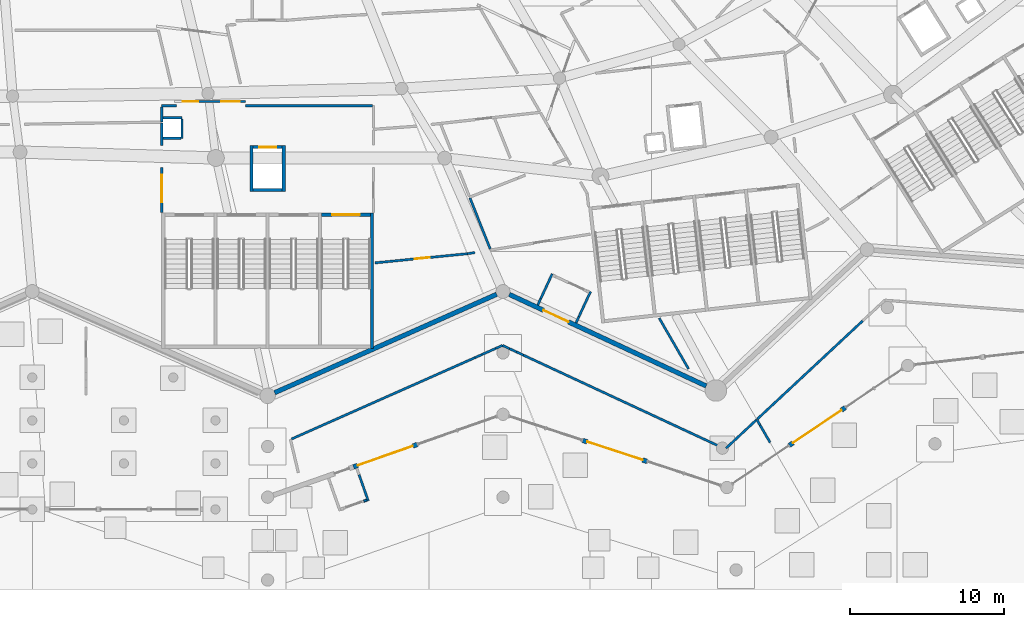
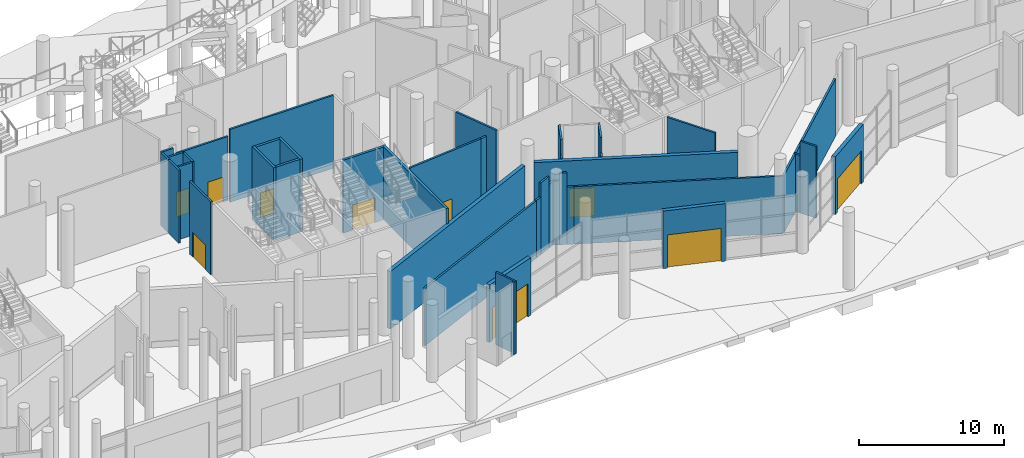
# One storey, part 118 of 255: 42 walls, 10 doors, 10 openings.
"""IFC4 building model written with IfcOpenShell, lengths in metres."""

from ifc_helpers import new_model, si_unit, direction, frame, frame_2d, origin, place, context, subcontext, project, spatial, rectangle, extrude, material, layer, layer_set, type_object, element, fill, save


model = new_model("IFC4")

# Units and contexts
model_context = context("Model", 3, precision=1e-05, world=origin(), true_north=direction((0.0, 1.0)))
body_context = subcontext(model_context, "Body", "Model", "MODEL_VIEW")
ifc_project = project(units=[si_unit("LENGTHUNIT", "METRE"), si_unit("AREAUNIT", "SQUARE_METRE"), si_unit("VOLUMEUNIT", "CUBIC_METRE"), si_unit("PLANEANGLEUNIT", "RADIAN"), si_unit("MASSUNIT", "GRAM", prefix="KILO")], contexts=[model_context])

# Site, building, storey
site_placement = place(None, origin())
site = spatial("IfcSite", under=ifc_project, at=site_placement, CompositionType="ELEMENT")
building_placement = place(site_placement, origin())
building = spatial("IfcBuilding", under=site, at=building_placement, Name="Meseta Stadium", CompositionType="ELEMENT")
storey_placement = place(building_placement, origin())
storey = spatial("IfcBuildingStorey", under=building, at=storey_placement, Name="L00", CompositionType="ELEMENT", Elevation=0.0)

# Wall
ifc_material_1 = material(Name="Concrete C40/50", Category="concrete")
ifc_layer_1 = layer(ifc_material_1, 0.199951171875)
ifc_layer_set_1 = layer_set([ifc_layer_1], Name="Core shaft wall 200")
wall_type_1 = type_object("IfcWallType", Name="Core shaft wall 200", PredefinedType="SHEAR", material=ifc_layer_set_1)
wall_1_placement = place(storey_placement, frame((29.800048828125, -102.300048828125, 0.0), z_axis=(0.0, 0.0, 1.0), x_axis=(0.0, 1.0, 0.0)))
element("IfcWall", 1, at=wall_1_placement, inside=storey, type_object=wall_type_1, Name="Core 25 L00 stair wall B-side", PredefinedType="SHEAR", context=body_context, shape_type="SweptSolid", body=[
    extrude(rectangle(XDim=8.800048828125, YDim=0.199951171875, at=frame_2d((4.39990234375, 0.0))), origin(), (0.0, 0.0, 1.0), 6.14990234375),
])

# Wall, opening, door
wall_2_placement = place(storey_placement, frame((26.5, -93.60009765625, 0.0), z_axis=(0.0, 0.0, 1.0), x_axis=(1.0, 0.0, 0.0)))
wall_2 = element("IfcWall", 2, at=wall_2_placement, inside=storey, type_object=wall_type_1, Name="Core 25 L00 stair B2 inner end wall", PredefinedType="SHEAR", context=body_context, shape_type="SweptSolid", body=[
    extrude(rectangle(XDim=3.199951171875, YDim=0.199951171875, at=frame_2d((1.60009765625, 0.0))), origin(), (0.0, 0.0, 1.0), 6.14990234375),
])
opening_1_placement = place(wall_2_placement, frame((0.699951171875, 0.0, 0.0)))
opening_1 = element("IfcOpeningElement", 3, at=opening_1_placement, cuts=wall_2, Name="Opening D336", PredefinedType="OPENING", context=body_context, shape_type="SweptSolid", body=[
    extrude(rectangle(XDim=1.800048828125, YDim=2.10009765625, at=frame_2d((0.89990234375, 1.050048828125))), frame((0.0, 0.10986328125, 0.0), z_axis=(0.0, -1.0, 0.0), x_axis=(1.0, 0.0, 0.0)), (0.0, 0.0, 1.0), 0.219970703125),
])
ifc_material_2 = material(Name="Steel", Category="steel")
door_type_1 = type_object("IfcDoorType", Name="Stair door 1800x2100", OperationType="DOUBLE_DOOR_SINGLE_SWING", PredefinedType="DOOR", material=ifc_material_2)
door_1_placement = place(opening_1_placement, origin())
door_1 = element("IfcDoor", 4, at=door_1_placement, inside=storey, type_object=door_type_1, Name="Stair B2 door 25 L00", OperationType="DOUBLE_DOOR_SINGLE_SWING", OverallHeight=2.10009765625, OverallWidth=1.800048828125, PredefinedType="DOOR", context=body_context, shape_type="SweptSolid", body=[
    extrude(rectangle(XDim=1.800048828125, YDim=2.10009765625, at=frame_2d((0.89990234375, 1.050048828125))), frame((0.0, 0.02490234375, 0.0), z_axis=(0.0, -1.0, 0.0), x_axis=(1.0, 0.0, 0.0)), (0.0, 0.0, 1.0), 0.050048828125),
])
fill(opening_1, door_1)

# Walls
for number, where, z_axis, x_axis, name in (
    (5, (21.949951171875, -92.10009765625, 0.0), (0.0, 0.0, 1.0), (0.0, 1.0, 0.0), "Core 25 L00 lift shaft wall left"),
    (6, (24.050048828125, -92.10009765625, 0.0), (0.0, 0.0, 1.0), (0.0, 1.0, 0.0), "Core 25 L00 lift shaft wall right"),
):
    element("IfcWall", number, at=place(storey_placement, frame(where, z_axis=z_axis, x_axis=x_axis)), inside=storey, type_object=wall_type_1, Name=name, PredefinedType="SHEAR", context=body_context, shape_type="SweptSolid", body=[
        extrude(rectangle(XDim=3.0, YDim=0.199951171875, at=frame_2d((1.5, 0.0))), origin(), (0.0, 0.0, 1.0), 6.14990234375),
    ])
wall_3_placement = place(storey_placement, frame((22.050048828125, -92.0, 0.0), z_axis=(0.0, 0.0, 1.0), x_axis=(1.0, 0.0, 0.0)))
element("IfcWall", 7, at=wall_3_placement, inside=storey, type_object=wall_type_1, Name="Core 25 L00 lift shaft back wall", PredefinedType="SHEAR", context=body_context, shape_type="SweptSolid", body=[
    extrude(rectangle(XDim=1.89990234375, YDim=0.199951171875, at=frame_2d((0.949951171875, 0.0))), origin(), (0.0, 0.0, 1.0), 6.14990234375),
])

# Wall, opening, door
wall_4_placement = place(storey_placement, frame((22.050048828125, -89.199951171875, 0.0), z_axis=(0.0, 0.0, 1.0), x_axis=(1.0, 0.0, 0.0)))
wall_4 = element("IfcWall", 8, at=wall_4_placement, inside=storey, type_object=wall_type_1, Name="Core 25 L00 lift shaft front wall", PredefinedType="SHEAR", context=body_context, shape_type="SweptSolid", body=[
    extrude(rectangle(XDim=1.89990234375, YDim=0.199951171875, at=frame_2d((0.949951171875, 0.0))), origin(), (0.0, 0.0, 1.0), 6.14990234375),
])
opening_2_placement = place(wall_4_placement, frame((0.39990234375, 0.0, 0.0)))
opening_2 = element("IfcOpeningElement", 9, at=opening_2_placement, cuts=wall_4, Name="Opening LD136", PredefinedType="OPENING", context=body_context, shape_type="SweptSolid", body=[
    extrude(rectangle(XDim=1.10009765625, YDim=2.10009765625, at=frame_2d((0.550048828125, 1.050048828125))), frame((0.0, 0.10986328125, 0.0), z_axis=(0.0, -1.0, 0.0), x_axis=(1.0, 0.0, 0.0)), (0.0, 0.0, 1.0), 0.219970703125),
])
ifc_material_3 = material(Name="Steel", Category="steel")
door_type_2 = type_object("IfcDoorType", Name="Lift landing door 1100x2100", OperationType="SLIDING_TO_LEFT", PredefinedType="DOOR", material=ifc_material_3)
door_2_placement = place(opening_2_placement, origin())
door_2 = element("IfcDoor", 10, at=door_2_placement, inside=storey, type_object=door_type_2, Name="Lift landing door LD136", OperationType="SLIDING_TO_RIGHT", OverallHeight=2.10009765625, OverallWidth=1.10009765625, PredefinedType="DOOR", context=body_context, shape_type="SweptSolid", body=[
    extrude(rectangle(XDim=1.10009765625, YDim=2.10009765625, at=frame_2d((0.550048828125, 1.050048828125))), frame((0.0, 0.02490234375, 0.0), z_axis=(0.0, -1.0, 0.0), x_axis=(1.0, 0.0, 0.0)), (0.0, 0.0, 1.0), 0.050048828125),
])
fill(opening_2, door_2)

# Walls
ifc_material_4 = material(Name="Masonry blockwork", Category="masonry")
ifc_layer_2 = layer(ifc_material_4, 0.14990234375)
ifc_layer_set_2 = layer_set([ifc_layer_2], Name="Partition 150")
wall_type_2 = type_object("IfcWallType", Name="Partition 150", PredefinedType="PARTITIONING", material=ifc_layer_set_2)
wall_5_placement = place(storey_placement, frame((17.048095703125, -86.5, 0.0), z_axis=(0.0, 0.0, 1.0), x_axis=(-1.0, 0.0, 0.0)))
element("IfcWall", 11, at=wall_5_placement, inside=storey, type_object=wall_type_2, Name="Partition L00 L00-cell23-1-0", PredefinedType="PARTITIONING", context=body_context, shape_type="SweptSolid", body=[
    extrude(rectangle(XDim=0.947998046875, YDim=0.14990234375, at=frame_2d((0.47412109375, 0.0))), origin(), (0.0, 0.0, 1.0), 6.14990234375),
])
wall_6_placement = place(storey_placement, frame((16.10009765625, -86.574951171875, 0.0), z_axis=(0.0, 0.0, 1.0), x_axis=(0.0, -1.0, 0.0)))
element("IfcWall", 12, at=wall_6_placement, inside=storey, type_object=wall_type_2, Name="Partition L00 L00-cell23-1-0", PredefinedType="PARTITIONING", context=body_context, shape_type="SweptSolid", body=[
    extrude(rectangle(XDim=0.9892578125, YDim=0.14990234375, at=frame_2d((0.49462890625, 0.0))), origin(), (0.0, 0.0, 1.0), 6.14990234375),
])
wall_7_placement = place(storey_placement, frame((16.10009765625, -87.6142578125, 0.0), z_axis=(0.0, 0.0, 1.0), x_axis=(0.0, -1.0, 0.0)))
element("IfcWall", 13, at=wall_7_placement, inside=storey, type_object=wall_type_2, Name="Partition L00 L00-cell23-2-0", PredefinedType="PARTITIONING", context=body_context, shape_type="SweptSolid", body=[
    extrude(rectangle(XDim=1.46142578125, YDim=0.14990234375, at=frame_2d((0.730712890625, 0.0))), origin(), (0.0, 0.0, 1.0), 6.14990234375),
])

# Wall, opening, door
wall_8_placement = place(storey_placement, frame((16.10009765625, -90.537109375, 0.0), z_axis=(0.0, 0.0, 1.0), x_axis=(0.0, -1.0, 0.0)))
wall_8 = element("IfcWall", 14, at=wall_8_placement, inside=storey, type_object=wall_type_2, Name="Partition L00 L00-cell23-2-0", PredefinedType="PARTITIONING", context=body_context, shape_type="SweptSolid", body=[
    extrude(rectangle(XDim=2.9228515625, YDim=0.14990234375, at=frame_2d((1.46142578125, 0.0))), origin(), (0.0, 0.0, 1.0), 6.14990234375),
])
opening_3_placement = place(wall_8_placement, frame((0.449951171875, 0.0, 0.0)))
opening_3 = element("IfcOpeningElement", 15, at=opening_3_placement, cuts=wall_8, Name="Opening D603", PredefinedType="OPENING", context=body_context, shape_type="SweptSolid", body=[
    extrude(rectangle(XDim=1.800048828125, YDim=2.10009765625, at=frame_2d((0.89990234375, 1.050048828125))), frame((0.0, 0.0849609375, 0.0), z_axis=(0.0, -1.0, 0.0), x_axis=(1.0, 0.0, 0.0)), (0.0, 0.0, 1.0), 0.169921875),
])
ifc_material_5 = material(Name="Timber", Category="wood")
door_type_3 = type_object("IfcDoorType", Name="Room double door 1800x2100", OperationType="DOUBLE_DOOR_SINGLE_SWING", PredefinedType="DOOR", material=ifc_material_5)
door_3_placement = place(opening_3_placement, origin())
door_3 = element("IfcDoor", 16, at=door_3_placement, inside=storey, type_object=door_type_3, Name="Door D603", OperationType="DOUBLE_DOOR_SINGLE_SWING", OverallHeight=2.10009765625, OverallWidth=1.800048828125, PredefinedType="DOOR", context=body_context, shape_type="SweptSolid", body=[
    extrude(rectangle(XDim=1.800048828125, YDim=2.10009765625, at=frame_2d((0.89990234375, 1.050048828125))), frame((0.0, 0.02490234375, 0.0), z_axis=(0.0, -1.0, 0.0), x_axis=(1.0, 0.0, 0.0)), (0.0, 0.0, 1.0), 0.050048828125),
])
fill(opening_3, door_3)

# Walls
wall_9_placement = place(storey_placement, frame((29.824951171875, -86.5, 0.0), z_axis=(0.0, 0.0, 1.0), x_axis=(-1.0, 0.0, 0.0)))
element("IfcWall", 17, at=wall_9_placement, inside=storey, type_object=wall_type_2, Name="Partition L00 L00-cell24-1-0", PredefinedType="PARTITIONING", context=body_context, shape_type="SweptSolid", body=[
    extrude(rectangle(XDim=8.25390625, YDim=0.14990234375, at=frame_2d((4.126953125, 0.0))), origin(), (0.0, 0.0, 1.0), 6.14990234375),
])
wall_10_placement = place(storey_placement, frame((37.497802734375, -95.827880859375, 0.0), z_axis=(0.0, 0.0, 1.0), x_axis=(-0.368822104186, 0.929500002939, 0.0)))
element("IfcWall", 18, at=wall_10_placement, inside=storey, type_object=wall_type_2, Name="Partition L00 L00-cell24-2-0b2", PredefinedType="PARTITIONING", context=body_context, shape_type="SweptSolid", body=[
    extrude(rectangle(XDim=3.574462890625, YDim=0.14990234375, at=frame_2d((1.787109375, 0.0))), origin(), (0.0, 0.0, 1.0), 6.14990234375),
])
wall_11_placement = place(storey_placement, frame((36.49755859375, -96.063232421875, 0.0), z_axis=(0.0, 0.0, 1.0), x_axis=(-0.987477522221, -0.157759763909, 0.0)))
element("IfcWall", 19, at=wall_11_placement, inside=storey, type_object=wall_type_2, Name="Partition L00 L00-cell24-2-0w", PredefinedType="PARTITIONING", context=body_context, shape_type="SweptSolid", body=[
    extrude(rectangle(XDim=0.4951171875, YDim=0.14990234375, at=frame_2d((0.24755859375, 0.0))), origin(), (0.0, 0.0, 1.0), 6.14990234375),
])

# Wall, opening, door
wall_12_placement = place(storey_placement, frame((30.0, -96.736328125, 0.0), z_axis=(0.0, 0.0, 1.0), x_axis=(0.995133204742, 0.098538849293, 0.0)))
wall_12 = element("IfcWall", 20, at=wall_12_placement, inside=storey, type_object=wall_type_2, Name="Partition L00 L00-cell24-2-0w", PredefinedType="PARTITIONING", context=body_context, shape_type="SweptSolid", body=[
    extrude(rectangle(XDim=6.037841796875, YDim=0.14990234375, at=frame_2d((3.01904296875, 0.0))), origin(), (0.0, 0.0, 1.0), 6.14990234375),
])
opening_4_placement = place(wall_12_placement, frame((2.587890625, 0.0, 0.0)))
opening_4 = element("IfcOpeningElement", 21, at=opening_4_placement, cuts=wall_12, Name="Opening D609", PredefinedType="OPENING", context=body_context, shape_type="SweptSolid", body=[
    extrude(rectangle(XDim=1.0, YDim=2.10009765625, at=frame_2d((0.5, 1.050048828125))), frame((0.0, 0.0849609375, 0.0), z_axis=(0.0, -1.0, 0.0), x_axis=(1.0, 0.0, 0.0)), (0.0, 0.0, 1.0), 0.169921875),
])
ifc_material_6 = material(Name="Steel", Category="steel")
door_type_4 = type_object("IfcDoorType", Name="Fire door 1000x2100 EI2 60", OperationType="NOTDEFINED", PredefinedType="DOOR", material=ifc_material_6)
door_4_placement = place(opening_4_placement, origin())
door_4 = element("IfcDoor", 22, at=door_4_placement, inside=storey, type_object=door_type_4, Name="Door D609", OperationType="SINGLE_SWING_RIGHT", OverallHeight=2.10009765625, OverallWidth=1.0, PredefinedType="DOOR", context=body_context, shape_type="SweptSolid", body=[
    extrude(rectangle(XDim=1.0, YDim=2.10009765625, at=frame_2d((0.5, 1.050048828125))), frame((0.0, 0.02490234375, 0.0), z_axis=(0.0, -1.0, 0.0), x_axis=(1.0, 0.0, 0.0)), (0.0, 0.0, 1.0), 0.050048828125),
])
fill(opening_4, door_4)

# Walls
wall_13_placement = place(storey_placement, frame((48.508056640625, -100.335693359375, 0.0), z_axis=(0.0, 0.0, 1.0), x_axis=(0.500439359674, -0.865771590715, 0.0)))
element("IfcWall", 23, at=wall_13_placement, inside=storey, type_object=wall_type_2, Name="Partition L00 L00-cell24-3-0", PredefinedType="PARTITIONING", context=body_context, shape_type="SweptSolid", body=[
    extrude(rectangle(XDim=3.82177734375, YDim=0.14990234375, at=frame_2d((1.910888671875, 0.0))), origin(), (0.0, 0.0, 1.0), 6.14990234375),
])
wall_14_placement = place(storey_placement, frame((24.555908203125, -108.210693359375, 0.0), z_axis=(0.0, 0.0, 1.0), x_axis=(0.914131290895, 0.40541828154, 0.0)))
element("IfcWall", 24, at=wall_14_placement, inside=storey, type_object=wall_type_2, Name="Partition L00 L00-ring24-0", PredefinedType="PARTITIONING", context=body_context, shape_type="SweptSolid", body=[
    extrude(rectangle(XDim=13.0869140625, YDim=0.14990234375, at=frame_2d((6.54345703125, 0.0))), origin(), (0.0, 0.0, 1.0), 4.85009765625),
])
wall_15_placement = place(storey_placement, frame((36.51904296875, -102.905029296875, 0.0), z_axis=(0.0, 0.0, 1.0), x_axis=(0.914203605886, 0.405255187486, 0.0)))
element("IfcWall", 25, at=wall_15_placement, inside=storey, type_object=wall_type_2, Name="Partition L00 L00-ring24-0", PredefinedType="PARTITIONING", context=body_context, shape_type="SweptSolid", body=[
    extrude(rectangle(XDim=0.4873046875, YDim=0.14990234375, at=frame_2d((0.24365234375, 0.0))), origin(), (0.0, 0.0, 1.0), 4.85009765625),
])
wall_16_placement = place(storey_placement, frame((36.964599609375, -102.70751953125, 0.0), z_axis=(0.0, 0.0, 1.0), x_axis=(0.914193086295, 0.4052789175, 0.0)))
element("IfcWall", 26, at=wall_16_placement, inside=storey, type_object=wall_type_2, Name="Partition L00 L00-ring24-0", PredefinedType="PARTITIONING", context=body_context, shape_type="SweptSolid", body=[
    extrude(rectangle(XDim=0.975341796875, YDim=0.14990234375, at=frame_2d((0.48779296875, 0.0))), origin(), (0.0, 0.0, 1.0), 6.050048828125),
])
wall_17_placement = place(storey_placement, frame((37.856201171875, -102.312255859375, 0.0), z_axis=(0.0, 0.0, 1.0), x_axis=(0.914017959029, 0.405673724281, 0.0)))
element("IfcWall", 27, at=wall_17_placement, inside=storey, type_object=wall_type_2, Name="Partition L00 L00-ring24-0", PredefinedType="PARTITIONING", context=body_context, shape_type="SweptSolid", body=[
    extrude(rectangle(XDim=0.487548828125, YDim=0.14990234375, at=frame_2d((0.24365234375, 0.0))), origin(), (0.0, 0.0, 1.0), 5.39990234375),
])
wall_18_placement = place(storey_placement, frame((38.3017578125, -102.114501953125, 0.0), z_axis=(0.0, 0.0, 1.0), x_axis=(0.90658206108, -0.422029580158, 0.0)))
element("IfcWall", 28, at=wall_18_placement, inside=storey, type_object=wall_type_2, Name="Partition L00 L00-ring24-0", PredefinedType="PARTITIONING", context=body_context, shape_type="SweptSolid", body=[
    extrude(rectangle(XDim=0.499755859375, YDim=0.14990234375, at=frame_2d((0.25, 0.0))), origin(), (0.0, 0.0, 1.0), 5.39990234375),
])
wall_19_placement = place(storey_placement, frame((38.7548828125, -102.325439453125, 0.0), z_axis=(0.0, 0.0, 1.0), x_axis=(0.906755828453, -0.421656101067, 0.0)))
element("IfcWall", 29, at=wall_19_placement, inside=storey, type_object=wall_type_2, Name="Partition L00 L00-ring24-0", PredefinedType="PARTITIONING", context=body_context, shape_type="SweptSolid", body=[
    extrude(rectangle(XDim=0.500244140625, YDim=0.14990234375, at=frame_2d((0.25, 0.0))), origin(), (0.0, 0.0, 1.0), 6.050048828125),
])
wall_20_placement = place(storey_placement, frame((39.20849609375, -102.536376953125, 0.0), z_axis=(0.0, 0.0, 1.0), x_axis=(0.90658206108, -0.422029580158, 0.0)))
element("IfcWall", 30, at=wall_20_placement, inside=storey, type_object=wall_type_2, Name="Partition L00 L00-ring24-0", PredefinedType="PARTITIONING", context=body_context, shape_type="SweptSolid", body=[
    extrude(rectangle(XDim=0.499755859375, YDim=0.14990234375, at=frame_2d((0.25, 0.0))), origin(), (0.0, 0.0, 1.0), 4.85009765625),
])
wall_21_placement = place(storey_placement, frame((39.66162109375, -102.747314453125, 0.0), z_axis=(0.0, 0.0, 1.0), x_axis=(0.906705987017, -0.421763266664, 0.0)))
element("IfcWall", 31, at=wall_21_placement, inside=storey, type_object=wall_type_2, Name="Partition L00 L00-ring24-0", PredefinedType="PARTITIONING", context=body_context, shape_type="SweptSolid", body=[
    extrude(rectangle(XDim=14.49853515625, YDim=0.14990234375, at=frame_2d((7.249267578125, 0.0))), origin(), (0.0, 0.0, 1.0), 4.85009765625),
])
wall_22_placement = place(storey_placement, frame((52.866943359375, -108.80712890625, 0.0), z_axis=(0.0, 0.0, 1.0), x_axis=(0.731527016753, 0.681812454976, 0.0)))
element("IfcWall", 32, at=wall_22_placement, inside=storey, type_object=wall_type_2, Name="Partition L00 L00-ring24-0", PredefinedType="PARTITIONING", context=body_context, shape_type="SweptSolid", body=[
    extrude(rectangle(XDim=2.7353515625, YDim=0.14990234375, at=frame_2d((1.36767578125, 0.0))), origin(), (0.0, 0.0, 1.0), 4.85009765625),
])
wall_23_placement = place(storey_placement, frame((54.867919921875, -106.942138671875, 0.0), z_axis=(0.0, 0.0, 1.0), x_axis=(0.500258826225, -0.865875918815, 0.0)))
element("IfcWall", 33, at=wall_23_placement, inside=storey, type_object=wall_type_2, Name="Partition L00 L00-ring24-0", PredefinedType="PARTITIONING", context=body_context, shape_type="SweptSolid", body=[
    extrude(rectangle(XDim=0.433349609375, YDim=0.14990234375, at=frame_2d((0.216796875, 0.0))), origin(), (0.0, 0.0, 1.0), 4.85009765625),
])
wall_24_placement = place(storey_placement, frame((55.084716796875, -107.3173828125, 0.0), z_axis=(0.0, 0.0, 1.0), x_axis=(0.50037765803, -0.865807252998, 0.0)))
element("IfcWall", 34, at=wall_24_placement, inside=storey, type_object=wall_type_2, Name="Partition L00 L00-ring24-0", PredefinedType="PARTITIONING", context=body_context, shape_type="SweptSolid", body=[
    extrude(rectangle(XDim=1.30078125, YDim=0.14990234375, at=frame_2d((0.650390625, 0.0))), origin(), (0.0, 0.0, 1.0), 6.050048828125),
])
wall_25_placement = place(storey_placement, frame((54.904296875, -106.908203125, 0.0), z_axis=(0.0, 0.0, 1.0), x_axis=(0.731553048923, 0.681784523594, 0.0)))
element("IfcWall", 35, at=wall_25_placement, inside=storey, type_object=wall_type_2, Name="Partition L00 L00-ring25-0", PredefinedType="PARTITIONING", context=body_context, shape_type="SweptSolid", body=[
    extrude(rectangle(XDim=9.37451171875, YDim=0.14990234375, at=frame_2d((4.687255859375, 0.0))), origin(), (0.0, 0.0, 1.0), 4.85009765625),
])
wall_26_placement = place(storey_placement, frame((16.176025390625, -88.625, 0.0), z_axis=(0.0, 0.0, 1.0), x_axis=(1.0, 0.0, 0.0)))
element("IfcWall", 36, at=wall_26_placement, inside=storey, type_object=wall_type_2, Name="Pressurisation shaft wall L00 core 25", PredefinedType="PARTITIONING", context=body_context, shape_type="SweptSolid", body=[
    extrude(rectangle(XDim=1.174072265625, YDim=0.14990234375, at=frame_2d((0.5869140625, 0.0))), origin(), (0.0, 0.0, 1.0), 6.14990234375),
])
wall_27_placement = place(storey_placement, frame((17.425048828125, -88.625, 0.0), z_axis=(0.0, 0.0, 1.0), x_axis=(0.0, 1.0, 0.0)))
element("IfcWall", 37, at=wall_27_placement, inside=storey, type_object=wall_type_2, Name="Pressurisation shaft wall L00 core 25", PredefinedType="PARTITIONING", context=body_context, shape_type="SweptSolid", body=[
    extrude(rectangle(XDim=1.27490234375, YDim=0.14990234375, at=frame_2d((0.637451171875, 0.0))), origin(), (0.0, 0.0, 1.0), 6.14990234375),
])
wall_28_placement = place(storey_placement, frame((17.425048828125, -87.27490234375, 0.0), z_axis=(0.0, 0.0, 1.0), x_axis=(-1.0, 0.0, 0.0)))
element("IfcWall", 38, at=wall_28_placement, inside=storey, type_object=wall_type_2, Name="Pressurisation shaft wall L00 core 25", PredefinedType="PARTITIONING", context=body_context, shape_type="SweptSolid", body=[
    extrude(rectangle(XDim=1.2490234375, YDim=0.14990234375, at=frame_2d((0.62451171875, 0.0))), origin(), (0.0, 0.0, 1.0), 6.14990234375),
])
wall_29_placement = place(storey_placement, frame((43.0888671875, -100.646728515625, 0.0), z_axis=(0.0, 0.0, 1.0), x_axis=(0.421429993288, 0.906860937938, 0.0)))
element("IfcWall", 39, at=wall_29_placement, inside=storey, type_object=wall_type_2, Name="Partition L00 L00-cell24-3-0 vestibule", PredefinedType="PARTITIONING", context=body_context, shape_type="SweptSolid", body=[
    extrude(rectangle(XDim=0.4501953125, YDim=0.14990234375, at=frame_2d((0.22509765625, 0.0))), origin(), (0.0, 0.0, 1.0), 4.85009765625),
])
wall_30_placement = place(storey_placement, frame((43.278564453125, -100.238525390625, 0.0), z_axis=(0.0, 0.0, 1.0), x_axis=(0.421860420743, 0.906660788504, 0.0)))
element("IfcWall", 40, at=wall_30_placement, inside=storey, type_object=wall_type_2, Name="Partition L00 L00-cell24-3-0 vestibule", PredefinedType="PARTITIONING", context=body_context, shape_type="SweptSolid", body=[
    extrude(rectangle(XDim=1.7998046875, YDim=0.14990234375, at=frame_2d((0.89990234375, 0.0))), origin(), (0.0, 0.0, 1.0), 6.14990234375),
])
wall_31_placement = place(storey_placement, frame((40.595458984375, -99.48681640625, 0.0), z_axis=(0.0, 0.0, 1.0), x_axis=(0.42163737055, 0.90676453821, 0.0)))
element("IfcWall", 41, at=wall_31_placement, inside=storey, type_object=wall_type_2, Name="Partition L00 L00-cell24-3-0 vestibule", PredefinedType="PARTITIONING", context=body_context, shape_type="SweptSolid", body=[
    extrude(rectangle(XDim=0.449951171875, YDim=0.14990234375, at=frame_2d((0.22509765625, 0.0))), origin(), (0.0, 0.0, 1.0), 4.85009765625),
])
wall_32_placement = place(storey_placement, frame((40.78515625, -99.078857421875, 0.0), z_axis=(0.0, 0.0, 1.0), x_axis=(0.421697036053, 0.906736791899, 0.0)))
element("IfcWall", 42, at=wall_32_placement, inside=storey, type_object=wall_type_2, Name="Partition L00 L00-cell24-3-0 vestibule", PredefinedType="PARTITIONING", context=body_context, shape_type="SweptSolid", body=[
    extrude(rectangle(XDim=1.800048828125, YDim=0.14990234375, at=frame_2d((0.89990234375, 0.0))), origin(), (0.0, 0.0, 1.0), 6.14990234375),
])
wall_33_placement = place(storey_placement, frame((28.9560546875, -110.53857421875, 0.0), z_axis=(0.0, 0.0, 1.0), x_axis=(0.332174408782, -0.943217982308, 0.0)))
element("IfcWall", 43, at=wall_33_placement, inside=storey, type_object=wall_type_2, Name="Partition L00 L00-ring24-0 vestibule", PredefinedType="PARTITIONING", context=body_context, shape_type="SweptSolid", body=[
    extrude(rectangle(XDim=1.800048828125, YDim=0.14990234375, at=frame_2d((0.89990234375, 0.0))), origin(), (0.0, 0.0, 1.0), 6.10009765625),
])
wall_34_placement = place(storey_placement, frame((29.458251953125, -112.190673828125, 0.0), z_axis=(0.0, 0.0, 1.0), x_axis=(-0.94330531524, -0.331926320498, 0.0)))
element("IfcWall", 44, at=wall_34_placement, inside=storey, type_object=wall_type_2, Name="Partition L00 L00-ring24-0 vestibule", PredefinedType="PARTITIONING", context=body_context, shape_type="SweptSolid", body=[
    extrude(rectangle(XDim=0.199951171875, YDim=0.14990234375, at=frame_2d((0.10009765625, 0.0))), origin(), (0.0, 0.0, 1.0), 6.10009765625),
])

# Wall, openings, doors
wall_35_placement = place(storey_placement, frame((16.922119140625, -86.22509765625, 0.0), z_axis=(0.0, 0.0, 1.0), x_axis=(1.0, 0.0, 0.0)))
wall_35 = element("IfcWall", 45, at=wall_35_placement, inside=storey, type_object=wall_type_2, Name="Escape corridor sector wall L00 core 25", PredefinedType="PARTITIONING", context=body_context, shape_type="SweptSolid", body=[
    extrude(rectangle(XDim=4.64404296875, YDim=0.14990234375, at=frame_2d((2.322021484375, 0.0))), origin(), (0.0, 0.0, 1.0), 5.39990234375),
])
opening_5_placement = place(wall_35_placement, frame((0.550048828125, 0.0, 0.0)))
opening_5 = element("IfcOpeningElement", 46, at=opening_5_placement, cuts=wall_35, Name="Opening D429", PredefinedType="OPENING", context=body_context, shape_type="SweptSolid", body=[
    extrude(rectangle(XDim=1.0, YDim=2.10009765625, at=frame_2d((0.5, 1.050048828125))), frame((0.0, 0.0849609375, 0.0), z_axis=(0.0, -1.0, 0.0), x_axis=(1.0, 0.0, 0.0)), (0.0, 0.0, 1.0), 0.169921875),
])
opening_6_placement = place(wall_35_placement, frame((3.050048828125, 0.0, 0.0)))
opening_6 = element("IfcOpeningElement", 47, at=opening_6_placement, cuts=wall_35, Name="Opening D1683", PredefinedType="OPENING", context=body_context, shape_type="SweptSolid", body=[
    extrude(rectangle(XDim=1.199951171875, YDim=2.10009765625, at=frame_2d((0.60009765625, 1.050048828125))), frame((0.0, 0.0849609375, 0.0), z_axis=(0.0, -1.0, 0.0), x_axis=(1.0, 0.0, 0.0)), (0.0, 0.0, 1.0), 0.169921875),
])
door_5_placement = place(opening_5_placement, origin())
door_5 = element("IfcDoor", 48, at=door_5_placement, inside=storey, type_object=door_type_4, Name="Escape corridor door EC25-1", OperationType="SINGLE_SWING_LEFT", OverallHeight=2.10009765625, OverallWidth=1.0, PredefinedType="DOOR", context=body_context, shape_type="SweptSolid", body=[
    extrude(rectangle(XDim=1.0, YDim=2.10009765625, at=frame_2d((0.5, 1.050048828125))), frame((0.0, 0.02490234375, 0.0), z_axis=(0.0, -1.0, 0.0), x_axis=(1.0, 0.0, 0.0)), (0.0, 0.0, 1.0), 0.050048828125),
])
fill(opening_5, door_5)
ifc_material_7 = material(Name="Steel", Category="steel")
door_type_5 = type_object("IfcDoorType", Name="Fire door 1200x2100 EI2 60", OperationType="NOTDEFINED", PredefinedType="DOOR", material=ifc_material_7)
door_6_placement = place(opening_6_placement, origin())
door_6 = element("IfcDoor", 49, at=door_6_placement, inside=storey, type_object=door_type_5, Name="Escape corridor door EC25-2", OperationType="SINGLE_SWING_RIGHT", OverallHeight=2.10009765625, OverallWidth=1.199951171875, PredefinedType="DOOR", context=body_context, shape_type="SweptSolid", body=[
    extrude(rectangle(XDim=1.199951171875, YDim=2.10009765625, at=frame_2d((0.60009765625, 1.050048828125))), frame((0.0, 0.02490234375, 0.0), z_axis=(0.0, -1.0, 0.0), x_axis=(1.0, 0.0, 0.0)), (0.0, 0.0, 1.0), 0.050048828125),
])
fill(opening_6, door_6)

# Wall
ifc_material_8 = material(Name="White precast concrete C40/50", Category="concrete")
ifc_layer_3 = layer(ifc_material_8, 0.300048828125)
ifc_layer_set_3 = layer_set([ifc_layer_3], Name="Pleated panel wall 300 concourse")
wall_type_3 = type_object("IfcWallType", Name="Pleated panel wall 300 concourse", PredefinedType="SOLIDWALL", material=ifc_layer_set_3)
wall_36_placement = place(storey_placement, frame((37.92236328125, -98.7822265625, 0.0), z_axis=(0.0, 0.0, 1.0), x_axis=(-0.914138897099, -0.405401130748, 0.0)))
element("IfcWall", 50, at=wall_36_placement, inside=storey, type_object=wall_type_3, Name="Pleated facade panel L00 F48", PredefinedType="SOLIDWALL", context=body_context, shape_type="SweptSolid", body=[
    extrude(rectangle(XDim=15.824462890625, YDim=0.300048828125, at=frame_2d((7.912109375, 0.0))), origin(), (0.0, 0.0, 1.0), 4.85009765625),
])

# Wall, opening, door
wall_37_placement = place(storey_placement, frame((51.56884765625, -104.7568359375, 0.0), z_axis=(0.0, 0.0, 1.0), x_axis=(-0.906698705786, 0.421778919491, 0.0)))
wall_37 = element("IfcWall", 51, at=wall_37_placement, inside=storey, type_object=wall_type_3, Name="Pleated facade panel L00 F49", PredefinedType="SOLIDWALL", context=body_context, shape_type="SweptSolid", body=[
    extrude(rectangle(XDim=14.14794921875, YDim=0.300048828125, at=frame_2d((7.073974609375, 0.0))), origin(), (0.0, 0.0, 1.0), 4.85009765625),
])
opening_7_placement = place(wall_37_placement, frame((9.8974609375, 0.0, 0.0)))
opening_7 = element("IfcOpeningElement", 52, at=opening_7_placement, cuts=wall_37, Name="Opening D980", PredefinedType="OPENING", context=body_context, shape_type="SweptSolid", body=[
    extrude(rectangle(XDim=1.800048828125, YDim=2.39990234375, at=frame_2d((0.89990234375, 1.199951171875))), frame((0.0, 0.159912109375, 0.0), z_axis=(0.0, -1.0, 0.0), x_axis=(1.0, 0.0, 0.0)), (0.0, 0.0, 1.0), 0.320068359375),
])
ifc_material_9 = material(Name="Steel", Category="steel")
door_type_6 = type_object("IfcDoorType", Name="Fire double door 1800x2400 EI2 60", OperationType="DOUBLE_DOOR_SINGLE_SWING", PredefinedType="DOOR", material=ifc_material_9)
door_7_placement = place(opening_7_placement, origin())
door_7 = element("IfcDoor", 53, at=door_7_placement, inside=storey, type_object=door_type_6, Name="Concourse door", OperationType="DOUBLE_DOOR_SINGLE_SWING", OverallHeight=2.39990234375, OverallWidth=1.800048828125, PredefinedType="DOOR", context=body_context, shape_type="SweptSolid", body=[
    extrude(rectangle(XDim=1.800048828125, YDim=2.39990234375, at=frame_2d((0.89990234375, 1.199951171875))), frame((0.0, 0.02490234375, 0.0), z_axis=(0.0, -1.0, 0.0), x_axis=(1.0, 0.0, 0.0)), (0.0, 0.0, 1.0), 0.050048828125),
])
fill(opening_7, door_7)

ifc_material_10 = material(Name="Precast concrete C40/50", Category="concrete")
ifc_layer_4 = layer(ifc_material_10, 0.300048828125)
ifc_layer_set_4 = layer_set([ifc_layer_4], Name="Ring facade panel wall 300")
wall_type_4 = type_object("IfcWallType", Name="Ring facade panel wall 300", PredefinedType="SOLIDWALL", material=ifc_layer_set_4)
wall_38_placement = place(storey_placement, frame((32.74169921875, -108.569091796875, 0.0), z_axis=(0.0, 0.0, 1.0), x_axis=(-0.943210364758, -0.332196038226, 0.0)))
wall_38 = element("IfcWall", 54, at=wall_38_placement, inside=storey, type_object=wall_type_4, Name="Ring facade panel wall F48", PredefinedType="SOLIDWALL", context=body_context, shape_type="SweptSolid", body=[
    extrude(rectangle(XDim=4.39990234375, YDim=0.300048828125, at=frame_2d((2.199951171875, 0.0))), origin(), (0.0, 0.0, 1.0), 4.85009765625),
])
opening_8_placement = place(wall_38_placement, frame((0.300048828125, 0.0, 0.0)))
opening_8 = element("IfcOpeningElement", 55, at=opening_8_placement, cuts=wall_38, Name="Opening D966", PredefinedType="OPENING", context=body_context, shape_type="SweptSolid", body=[
    extrude(rectangle(XDim=3.800048828125, YDim=2.800048828125, at=frame_2d((1.89990234375, 1.39990234375))), frame((0.0, 0.159912109375, 0.0), z_axis=(0.0, -1.0, 0.0), x_axis=(1.0, 0.0, 0.0)), (0.0, 0.0, 1.0), 0.320068359375),
])
ifc_material_11 = material(Name="Steel", Category="steel")
door_type_7 = type_object("IfcDoorType", Name="Final exit door 3800x2800", OperationType="DOUBLE_DOOR_SINGLE_SWING", PredefinedType="DOOR", material=ifc_material_11)
door_8_placement = place(opening_8_placement, origin())
door_8 = element("IfcDoor", 56, at=door_8_placement, inside=storey, type_object=door_type_7, Name="Final exit F31", OperationType="DOUBLE_DOOR_SINGLE_SWING", OverallHeight=2.800048828125, OverallWidth=3.800048828125, PredefinedType="DOOR", context=body_context, shape_type="SweptSolid", body=[
    extrude(rectangle(XDim=3.800048828125, YDim=2.800048828125, at=frame_2d((1.89990234375, 1.39990234375))), frame((0.0, 0.02490234375, 0.0), z_axis=(0.0, -1.0, 0.0), x_axis=(1.0, 0.0, 0.0)), (0.0, 0.0, 1.0), 0.050048828125),
])
fill(opening_8, door_8)

wall_39_placement = place(storey_placement, frame((47.715087890625, -109.67041015625, 0.0), z_axis=(0.0, 0.0, 1.0), x_axis=(-0.950411144423, 0.310996232383, 0.0)))
wall_39 = element("IfcWall", 57, at=wall_39_placement, inside=storey, type_object=wall_type_4, Name="Ring facade panel wall F49", PredefinedType="SOLIDWALL", context=body_context, shape_type="SweptSolid", body=[
    extrude(rectangle(XDim=4.400146484375, YDim=0.300048828125, at=frame_2d((2.2001953125, 0.0))), origin(), (0.0, 0.0, 1.0), 4.85009765625),
])
opening_9_placement = place(wall_39_placement, frame((0.300048828125, 0.0, 0.0)))
opening_9 = element("IfcOpeningElement", 58, at=opening_9_placement, cuts=wall_39, Name="Opening D967", PredefinedType="OPENING", context=body_context, shape_type="SweptSolid", body=[
    extrude(rectangle(XDim=3.800048828125, YDim=2.800048828125, at=frame_2d((1.89990234375, 1.39990234375))), frame((0.0, 0.159912109375, 0.0), z_axis=(0.0, -1.0, 0.0), x_axis=(1.0, 0.0, 0.0)), (0.0, 0.0, 1.0), 0.320068359375),
])
door_9_placement = place(opening_9_placement, origin())
door_9 = element("IfcDoor", 59, at=door_9_placement, inside=storey, type_object=door_type_7, Name="Final exit F32", OperationType="DOUBLE_DOOR_SINGLE_SWING", OverallHeight=2.800048828125, OverallWidth=3.800048828125, PredefinedType="DOOR", context=body_context, shape_type="SweptSolid", body=[
    extrude(rectangle(XDim=3.800048828125, YDim=2.800048828125, at=frame_2d((1.89990234375, 1.39990234375))), frame((0.0, 0.02490234375, 0.0), z_axis=(0.0, -1.0, 0.0), x_axis=(1.0, 0.0, 0.0)), (0.0, 0.0, 1.0), 0.050048828125),
])
fill(opening_9, door_9)

wall_40_placement = place(storey_placement, frame((60.6279296875, -106.16748046875, 0.0), z_axis=(0.0, 0.0, 1.0), x_axis=(-0.828921355382, -0.559365163907, 0.0)))
wall_40 = element("IfcWall", 60, at=wall_40_placement, inside=storey, type_object=wall_type_4, Name="Ring facade panel wall F50", PredefinedType="SOLIDWALL", context=body_context, shape_type="SweptSolid", body=[
    extrude(rectangle(XDim=4.39990234375, YDim=0.300048828125, at=frame_2d((2.199951171875, 0.0))), origin(), (0.0, 0.0, 1.0), 4.85009765625),
])
opening_10_placement = place(wall_40_placement, frame((0.300048828125, 0.0, 0.0)))
opening_10 = element("IfcOpeningElement", 61, at=opening_10_placement, cuts=wall_40, Name="Opening D968", PredefinedType="OPENING", context=body_context, shape_type="SweptSolid", body=[
    extrude(rectangle(XDim=3.800048828125, YDim=2.800048828125, at=frame_2d((1.89990234375, 1.39990234375))), frame((0.0, 0.159912109375, 0.0), z_axis=(0.0, -1.0, 0.0), x_axis=(1.0, 0.0, 0.0)), (0.0, 0.0, 1.0), 0.320068359375),
])
door_10_placement = place(opening_10_placement, origin())
door_10 = element("IfcDoor", 62, at=door_10_placement, inside=storey, type_object=door_type_7, Name="Final exit F33", OperationType="DOUBLE_DOOR_SINGLE_SWING", OverallHeight=2.800048828125, OverallWidth=3.800048828125, PredefinedType="DOOR", context=body_context, shape_type="SweptSolid", body=[
    extrude(rectangle(XDim=3.800048828125, YDim=2.800048828125, at=frame_2d((1.89990234375, 1.39990234375))), frame((0.0, 0.02490234375, 0.0), z_axis=(0.0, -1.0, 0.0), x_axis=(1.0, 0.0, 0.0)), (0.0, 0.0, 1.0), 0.050048828125),
])
fill(opening_10, door_10)

save(model, "model.ifc")
